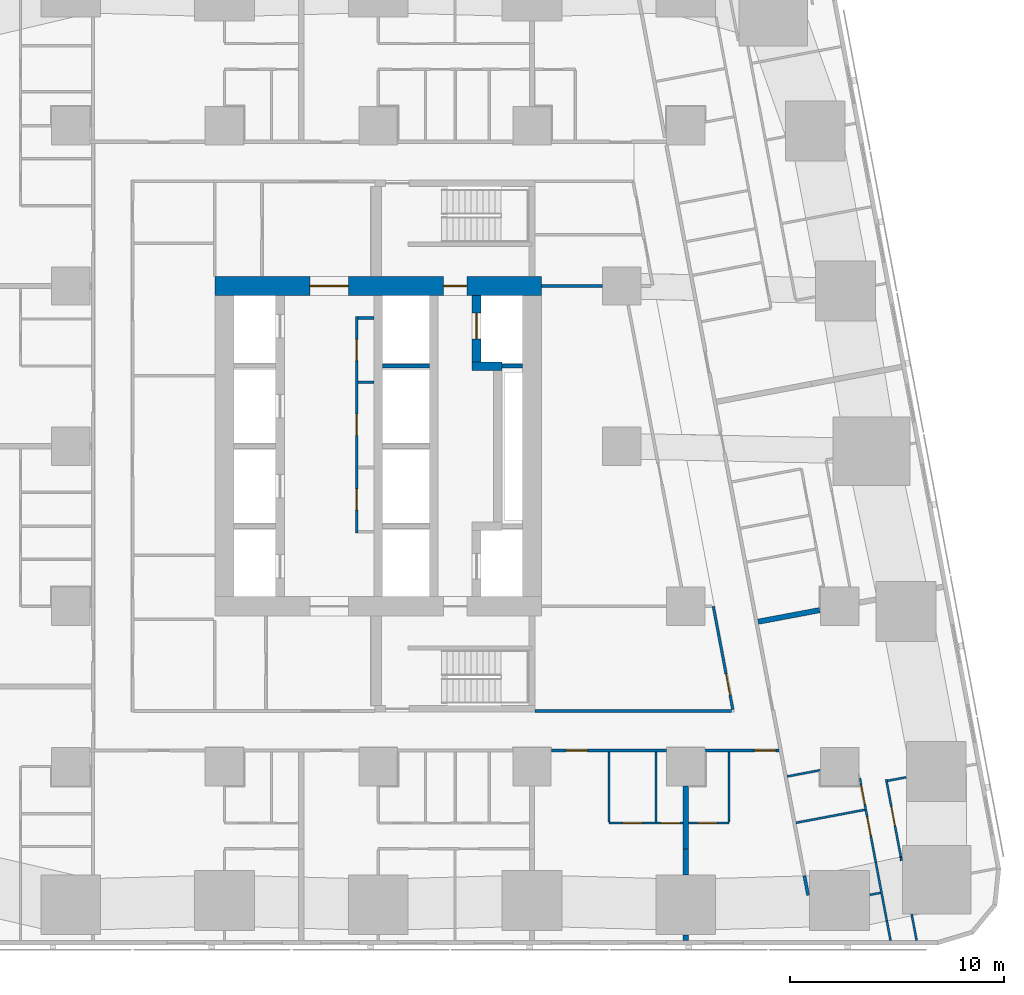
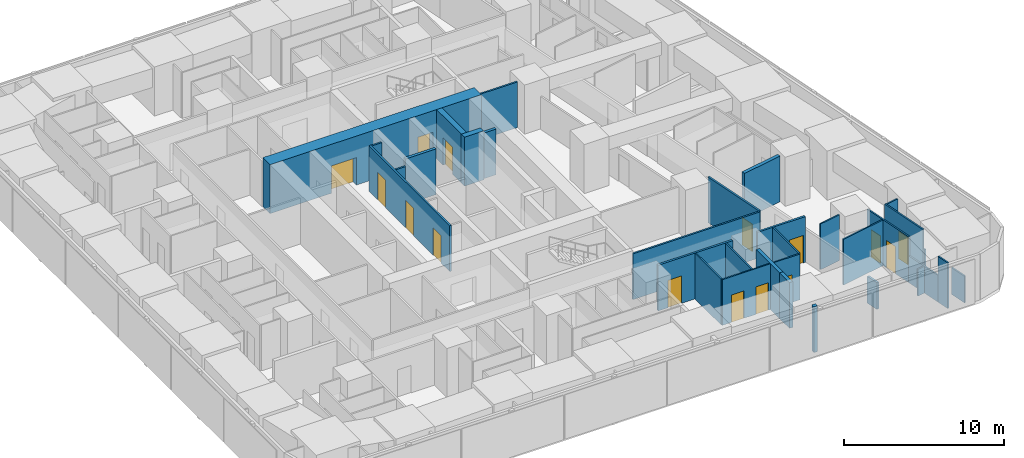
# One storey, part 7 of 16: 33 walls, 15 doors, 15 openings.
"""IFC4 building model written with IfcOpenShell, lengths in metres."""

from ifc_helpers import new_model, si_unit, direction, frame, frame_2d, origin, place, context, subcontext, project, spatial, rectangle, extrude, material, layer, layer_set, type_object, element, fill, save


model = new_model("IFC4")

# Units and contexts
model_context = context("Model", 3, precision=1e-05, world=origin(), true_north=direction((0.0, 1.0)))
body_context = subcontext(model_context, "Body", "Model", "MODEL_VIEW")
ifc_project = project(units=[si_unit("LENGTHUNIT", "METRE"), si_unit("AREAUNIT", "SQUARE_METRE"), si_unit("VOLUMEUNIT", "CUBIC_METRE"), si_unit("PLANEANGLEUNIT", "RADIAN"), si_unit("MASSUNIT", "GRAM", prefix="KILO")], contexts=[model_context])

# Site, building, storey
site_placement = place(None, origin())
site = spatial("IfcSite", under=ifc_project, at=site_placement, CompositionType="ELEMENT")
building_placement = place(site_placement, origin())
building = spatial("IfcBuilding", under=site, at=building_placement, Name="Sheger Commons Tower", CompositionType="ELEMENT")
storey_placement = place(building_placement, frame((0.0, 0.0, 61.25)))
storey = spatial("IfcBuildingStorey", under=building, at=storey_placement, Name="L15", CompositionType="ELEMENT", Elevation=61.25)

# Wall
ifc_material_1 = material(Name="Concrete C50/60", Category="concrete")
ifc_layer_1 = layer(ifc_material_1, 0.39990234375)
ifc_layer_set_1 = layer_set([ifc_layer_1], Name="CORE INNER WALL 400")
wall_type_1 = type_object("IfcWallType", Name="CORE INNER WALL 400", PredefinedType="SHEAR", material=ifc_layer_set_1)
wall_1_placement = place(storey_placement, frame((26.0, 26.25, 0.0), z_axis=(0.0, 0.0, 1.0), x_axis=(1.0, 0.0, 0.0)))
element("IfcWall", 1, at=wall_1_placement, inside=storey, type_object=wall_type_1, Name="Core inner wall F north return L15", PredefinedType="SHEAR", context=body_context, shape_type="SweptSolid", body=[
    extrude(rectangle(XDim=1.39990234375, YDim=0.39990234375, at=frame_2d((0.699951171875, 0.0))), origin(), (0.0, 0.0, 1.0), 3.75),
])

# Wall, opening, door
wall_2_placement = place(storey_placement, frame((26.199951171875, 26.449951171875, 0.0), z_axis=(0.0, 0.0, 1.0), x_axis=(0.0, 1.0, 0.0)))
wall_2 = element("IfcWall", 2, at=wall_2_placement, inside=storey, type_object=wall_type_1, Name="Core inner wall F north L15", PredefinedType="SHEAR", context=body_context, shape_type="SweptSolid", body=[
    extrude(rectangle(XDim=3.10009765625, YDim=0.39990234375, at=frame_2d((1.550048828125, 0.0))), origin(), (0.0, 0.0, 1.0), 3.75),
])
opening_1_placement = place(wall_2_placement, frame((1.074951171875, 0.0, 0.0)))
opening_1 = element("IfcOpeningElement", 3, at=opening_1_placement, cuts=wall_2, Name="Opening LD2", PredefinedType="OPENING", context=body_context, shape_type="SweptSolid", body=[
    extrude(rectangle(XDim=1.199951171875, YDim=2.10009765625, at=frame_2d((0.60009765625, 1.050048828125))), frame((0.0, 0.2099609375, 0.0), z_axis=(0.0, -1.0, 0.0), x_axis=(1.0, 0.0, 0.0)), (0.0, 0.0, 1.0), 0.419921875),
])
ifc_material_2 = material(Name="Steel door set, fire rated", Category="steel")
door_type_1 = type_object("IfcDoorType", Name="FIREFIGHTING LIFT LANDING DOOR 1200x2100", OperationType="DOUBLE_DOOR_SLIDING", PredefinedType="DOOR", material=ifc_material_2)
door_1_placement = place(opening_1_placement, origin())
door_1 = element("IfcDoor", 4, at=door_1_placement, inside=storey, type_object=door_type_1, Name="Lift FL2 landing door", OperationType="DOUBLE_DOOR_SLIDING", OverallHeight=2.10009765625, OverallWidth=1.199951171875, PredefinedType="DOOR", context=body_context, shape_type="SweptSolid", body=[
    extrude(rectangle(XDim=1.199951171875, YDim=2.10009765625, at=frame_2d((0.60009765625, 1.050048828125))), frame((0.0, 0.02490234375, 0.0), z_axis=(0.0, -1.0, 0.0), x_axis=(1.0, 0.0, 0.0)), (0.0, 0.0, 1.0), 0.050048828125),
])
fill(opening_1, door_1)

# Wall, openings, doors
ifc_material_3 = material(Name="Concrete C50/60", Category="concrete")
ifc_layer_2 = layer(ifc_material_3, 0.89990234375)
ifc_layer_set_2 = layer_set([ifc_layer_2], Name="CORE WALL 900")
wall_type_2 = type_object("IfcWallType", Name="CORE WALL 900", PredefinedType="SHEAR", material=ifc_layer_set_2)
wall_3_placement = place(storey_placement, frame((13.949951171875, 30.0, 0.0), z_axis=(0.0, 0.0, 1.0), x_axis=(1.0, 0.0, 0.0)))
wall_3 = element("IfcWall", 5, at=wall_3_placement, inside=storey, type_object=wall_type_2, Name="Core wall north L15", PredefinedType="SHEAR", context=body_context, shape_type="SweptSolid", body=[
    extrude(rectangle(XDim=15.300048828125, YDim=0.89990234375, at=frame_2d((7.64990234375, 0.0))), origin(), (0.0, 0.0, 1.0), 3.75),
])
opening_2_placement = place(wall_3_placement, frame((4.449951171875, 0.0, 0.0)))
opening_2 = element("IfcOpeningElement", 6, at=opening_2_placement, cuts=wall_3, Name="Opening D6", PredefinedType="OPENING", context=body_context, shape_type="SweptSolid", body=[
    extrude(rectangle(XDim=1.800048828125, YDim=2.10009765625, at=frame_2d((0.89990234375, 1.050048828125))), frame((0.0, 0.4599609375, 0.0), z_axis=(0.0, -1.0, 0.0), x_axis=(1.0, 0.0, 0.0)), (0.0, 0.0, 1.0), 0.919921875),
])
opening_3_placement = place(wall_3_placement, frame((10.699951171875, 0.0, 0.0)))
opening_3 = element("IfcOpeningElement", 7, at=opening_3_placement, cuts=wall_3, Name="Opening D5", PredefinedType="OPENING", context=body_context, shape_type="SweptSolid", body=[
    extrude(rectangle(XDim=1.10009765625, YDim=2.10009765625, at=frame_2d((0.550048828125, 1.050048828125))), frame((0.0, 0.4599609375, 0.0), z_axis=(0.0, -1.0, 0.0), x_axis=(1.0, 0.0, 0.0)), (0.0, 0.0, 1.0), 0.919921875),
])
ifc_material_4 = material(Name="Steel door set, fire rated", Category="steel")
door_type_2 = type_object("IfcDoorType", Name="LOBBY DOUBLE DOOR 1800x2100", OperationType="DOUBLE_DOOR_SINGLE_SWING", PredefinedType="DOOR", material=ifc_material_4)
door_2_placement = place(opening_2_placement, origin())
door_2 = element("IfcDoor", 8, at=door_2_placement, inside=storey, type_object=door_type_2, Name="Lift lobby door", OperationType="DOUBLE_DOOR_SINGLE_SWING", OverallHeight=2.10009765625, OverallWidth=1.800048828125, PredefinedType="DOOR", context=body_context, shape_type="SweptSolid", body=[
    extrude(rectangle(XDim=1.800048828125, YDim=2.10009765625, at=frame_2d((0.89990234375, 1.050048828125))), frame((0.0, 0.02490234375, 0.0), z_axis=(0.0, -1.0, 0.0), x_axis=(1.0, 0.0, 0.0)), (0.0, 0.0, 1.0), 0.050048828125),
])
fill(opening_2, door_2)
ifc_material_5 = material(Name="Steel door set, fire rated", Category="steel")
door_type_3 = type_object("IfcDoorType", Name="STAIR DOOR 1100x2100", OperationType="NOTDEFINED", PredefinedType="DOOR", material=ifc_material_5)
door_3_placement = place(opening_3_placement, origin())
door_3 = element("IfcDoor", 9, at=door_3_placement, inside=storey, type_object=door_type_3, Name="Fire-fighting lobby door", OperationType="SINGLE_SWING_LEFT", OverallHeight=2.10009765625, OverallWidth=1.10009765625, PredefinedType="DOOR", context=body_context, shape_type="SweptSolid", body=[
    extrude(rectangle(XDim=1.10009765625, YDim=2.10009765625, at=frame_2d((0.550048828125, 1.050048828125))), frame((0.0, 0.02490234375, 0.0), z_axis=(0.0, -1.0, 0.0), x_axis=(1.0, 0.0, 0.0)), (0.0, 0.0, 1.0), 0.050048828125),
])
fill(opening_3, door_3)

# Wall, opening, door
ifc_material_6 = material(Name="Hollow concrete block masonry, skimmed both sides", Category="masonry")
ifc_layer_3 = layer(ifc_material_6, 0.14990234375)
ifc_layer_set_3 = layer_set([ifc_layer_3], Name="CORRIDOR WALL 150")
wall_type_3 = type_object("IfcWallType", Name="CORRIDOR WALL 150", PredefinedType="SOLIDWALL", material=ifc_layer_set_3)
wall_4_placement = place(storey_placement, frame((40.35498046875, 8.25, 0.0), z_axis=(0.0, 0.0, 1.0), x_axis=(-1.0, 0.0, 0.0)))
wall_4 = element("IfcWall", 10, at=wall_4_placement, inside=storey, type_object=wall_type_3, Name="Corridor wall L15", PredefinedType="SOLIDWALL", context=body_context, shape_type="SweptSolid", body=[
    extrude(rectangle(XDim=3.4541015625, YDim=0.14990234375, at=frame_2d((1.72705078125, 0.0))), origin(), (0.0, 0.0, 1.0), 3.5),
])
opening_4_placement = place(wall_4_placement, frame((0.14990234375, 0.0, 0.0)))
opening_4 = element("IfcOpeningElement", 11, at=opening_4_placement, cuts=wall_4, Name="Opening D1", PredefinedType="OPENING", context=body_context, shape_type="SweptSolid", body=[
    extrude(rectangle(XDim=1.0, YDim=2.10009765625, at=frame_2d((0.5, 1.050048828125))), frame((0.0, 0.0849609375, 0.0), z_axis=(0.0, -1.0, 0.0), x_axis=(1.0, 0.0, 0.0)), (0.0, 0.0, 1.0), 0.169921875),
])
ifc_material_7 = material(Name="Steel door set, fire rated", Category="steel")
door_type_4 = type_object("IfcDoorType", Name="FLAT ENTRANCE DOOR 1000x2100", OperationType="NOTDEFINED", PredefinedType="DOOR", material=ifc_material_7)
door_4_placement = place(opening_4_placement, origin())
door_4 = element("IfcDoor", 12, at=door_4_placement, inside=storey, type_object=door_type_4, Name="Flat entrance door", OperationType="SINGLE_SWING_LEFT", OverallHeight=2.10009765625, OverallWidth=1.0, PredefinedType="DOOR", context=body_context, shape_type="SweptSolid", body=[
    extrude(rectangle(XDim=1.0, YDim=2.10009765625, at=frame_2d((0.5, 1.050048828125))), frame((0.0, 0.02490234375, 0.0), z_axis=(0.0, -1.0, 0.0), x_axis=(1.0, 0.0, 0.0)), (0.0, 0.0, 1.0), 0.050048828125),
])
fill(opening_4, door_4)

wall_5_placement = place(storey_placement, frame((35.09912109375, 8.25, 0.0), z_axis=(0.0, 0.0, 1.0), x_axis=(-1.0, 0.0, 0.0)))
wall_5 = element("IfcWall", 13, at=wall_5_placement, inside=storey, type_object=wall_type_3, Name="Corridor wall L15", PredefinedType="SOLIDWALL", context=body_context, shape_type="SweptSolid", body=[
    extrude(rectangle(XDim=5.398193359375, YDim=0.14990234375, at=frame_2d((2.69921875, 0.0))), origin(), (0.0, 0.0, 1.0), 3.5),
])
opening_5_placement = place(wall_5_placement, frame((3.698974609375, 0.0, 0.0)))
opening_5 = element("IfcOpeningElement", 14, at=opening_5_placement, cuts=wall_5, Name="Opening D1", PredefinedType="OPENING", context=body_context, shape_type="SweptSolid", body=[
    extrude(rectangle(XDim=1.0, YDim=2.10009765625, at=frame_2d((0.5, 1.050048828125))), frame((0.0, 0.0849609375, 0.0), z_axis=(0.0, -1.0, 0.0), x_axis=(1.0, 0.0, 0.0)), (0.0, 0.0, 1.0), 0.169921875),
])
door_5_placement = place(opening_5_placement, origin())
door_5 = element("IfcDoor", 15, at=door_5_placement, inside=storey, type_object=door_type_4, Name="Flat entrance door", OperationType="SINGLE_SWING_RIGHT", OverallHeight=2.10009765625, OverallWidth=1.0, PredefinedType="DOOR", context=body_context, shape_type="SweptSolid", body=[
    extrude(rectangle(XDim=1.0, YDim=2.10009765625, at=frame_2d((0.5, 1.050048828125))), frame((0.0, 0.02490234375, 0.0), z_axis=(0.0, -1.0, 0.0), x_axis=(1.0, 0.0, 0.0)), (0.0, 0.0, 1.0), 0.050048828125),
])
fill(opening_5, door_5)

# Walls
wall_6_placement = place(storey_placement, frame((41.552001953125, 2.39208984375, 0.0), z_axis=(0.0, 0.0, 1.0), x_axis=(0.185687800081, -0.982608793417, 0.0)))
element("IfcWall", 16, at=wall_6_placement, inside=storey, type_object=wall_type_3, Name="Corridor wall L15", PredefinedType="SOLIDWALL", context=body_context, shape_type="SweptSolid", body=[
    extrude(rectangle(XDim=0.9375, YDim=0.14990234375, at=frame_2d((0.46875, 0.0))), origin(), (0.0, 0.0, 1.0), 2.050048828125),
])
ifc_material_8 = material(Name="Dense concrete block masonry, plastered both sides (separating wall between flats)", Category="masonry")
ifc_layer_4 = layer(ifc_material_8, 0.25)
ifc_layer_set_4 = layer_set([ifc_layer_4], Name="DEMISING WALL 250")
wall_type_4 = type_object("IfcWallType", Name="DEMISING WALL 250", PredefinedType="SOLIDWALL", material=ifc_layer_set_4)
wall_7_placement = place(storey_placement, frame((36.0, -0.64990234375, 0.0), z_axis=(0.0, 0.0, 1.0), x_axis=(0.0, 1.0, 0.0)))
element("IfcWall", 17, at=wall_7_placement, inside=storey, type_object=wall_type_4, Name="Demising wall L15", PredefinedType="SOLIDWALL", context=body_context, shape_type="SweptSolid", body=[
    extrude(rectangle(XDim=0.27392578125, YDim=0.25, at=frame_2d((0.136962890625, 0.0))), origin(), (0.0, 0.0, 1.0), 3.5),
])
wall_8_placement = place(storey_placement, frame((36.0, 2.426025390625, 0.0), z_axis=(0.0, 0.0, 1.0), x_axis=(0.0, 1.0, 0.0)))
element("IfcWall", 18, at=wall_8_placement, inside=storey, type_object=wall_type_4, Name="Demising wall L15", PredefinedType="SOLIDWALL", context=body_context, shape_type="SweptSolid", body=[
    extrude(rectangle(XDim=1.223876953125, YDim=0.25, at=frame_2d((0.61181640625, 0.0))), origin(), (0.0, 0.0, 1.0), 3.5),
])
wall_9_placement = place(storey_placement, frame((36.0, 3.64990234375, 0.0), z_axis=(0.0, 0.0, 1.0), x_axis=(0.0, 1.0, 0.0)))
element("IfcWall", 19, at=wall_9_placement, inside=storey, type_object=wall_type_4, Name="Demising wall L15", PredefinedType="SOLIDWALL", context=body_context, shape_type="SweptSolid", body=[
    extrude(rectangle(XDim=2.94921875, YDim=0.25, at=frame_2d((1.474609375, 0.0))), origin(), (0.0, 0.0, 1.0), 3.5),
])
wall_10_placement = place(storey_placement, frame((42.27587890625, 14.824951171875, 0.0), z_axis=(0.0, 0.0, 1.0), x_axis=(-0.982656521819, -0.185435056358, 0.0)))
element("IfcWall", 20, at=wall_10_placement, inside=storey, type_object=wall_type_4, Name="Demising wall L15", PredefinedType="SOLIDWALL", context=body_context, shape_type="SweptSolid", body=[
    extrude(rectangle(XDim=2.94384765625, YDim=0.25, at=frame_2d((1.471923828125, 0.0))), origin(), (0.0, 0.0, 1.0), 3.5),
])

# Wall, openings, doors
ifc_material_9 = material(Name="Gypsum board on steel studs", Category="steel")
ifc_layer_5 = layer(ifc_material_9, 0.10009765625)
ifc_layer_set_5 = layer_set([ifc_layer_5], Name="PARTITION 100")
wall_type_5 = type_object("IfcWallType", Name="PARTITION 100", PredefinedType="PARTITIONING", material=ifc_layer_set_5)
wall_11_placement = place(storey_placement, frame((35.875, 4.85009765625, 0.0), z_axis=(0.0, 0.0, 1.0), x_axis=(-1.0, 0.0, 0.0)))
wall_11 = element("IfcWall", 21, at=wall_11_placement, inside=storey, type_object=wall_type_5, Name="Partition L15", PredefinedType="PARTITIONING", context=body_context, shape_type="SweptSolid", body=[
    extrude(rectangle(XDim=3.47509765625, YDim=0.10009765625, at=frame_2d((1.737548828125, 0.0))), origin(), (0.0, 0.0, 1.0), 3.5),
])
opening_6_placement = place(wall_11_placement, frame((1.919921875, 0.0, 0.0)))
opening_6 = element("IfcOpeningElement", 22, at=opening_6_placement, cuts=wall_11, Name="Opening D2", PredefinedType="OPENING", context=body_context, shape_type="SweptSolid", body=[
    extrude(rectangle(XDim=0.89990234375, YDim=2.10009765625, at=frame_2d((0.449951171875, 1.050048828125))), frame((0.0, 0.06005859375, 0.0), z_axis=(0.0, -1.0, 0.0), x_axis=(1.0, 0.0, 0.0)), (0.0, 0.0, 1.0), 0.1201171875),
])
opening_7_placement = place(wall_11_placement, frame((0.14990234375, 0.0, 0.0)))
opening_7 = element("IfcOpeningElement", 23, at=opening_7_placement, cuts=wall_11, Name="Opening D2", PredefinedType="OPENING", context=body_context, shape_type="SweptSolid", body=[
    extrude(rectangle(XDim=0.89990234375, YDim=2.10009765625, at=frame_2d((0.449951171875, 1.050048828125))), frame((0.0, 0.06005859375, 0.0), z_axis=(0.0, -1.0, 0.0), x_axis=(1.0, 0.0, 0.0)), (0.0, 0.0, 1.0), 0.1201171875),
])
ifc_material_10 = material(Name="Timber door set", Category="wood")
door_type_5 = type_object("IfcDoorType", Name="INTERNAL DOOR 900x2100", OperationType="NOTDEFINED", PredefinedType="DOOR", material=ifc_material_10)
door_6_placement = place(opening_6_placement, origin())
door_6 = element("IfcDoor", 24, at=door_6_placement, inside=storey, type_object=door_type_5, Name="Bathroom door", OperationType="SINGLE_SWING_LEFT", OverallHeight=2.10009765625, OverallWidth=0.89990234375, PredefinedType="DOOR", context=body_context, shape_type="SweptSolid", body=[
    extrude(rectangle(XDim=0.89990234375, YDim=2.10009765625, at=frame_2d((0.449951171875, 1.050048828125))), frame((0.0, 0.02490234375, 0.0), z_axis=(0.0, -1.0, 0.0), x_axis=(1.0, 0.0, 0.0)), (0.0, 0.0, 1.0), 0.050048828125),
])
fill(opening_6, door_6)
door_7_placement = place(opening_7_placement, origin())
door_7 = element("IfcDoor", 25, at=door_7_placement, inside=storey, type_object=door_type_5, Name="Store door", OperationType="SINGLE_SWING_RIGHT", OverallHeight=2.10009765625, OverallWidth=0.89990234375, PredefinedType="DOOR", context=body_context, shape_type="SweptSolid", body=[
    extrude(rectangle(XDim=0.89990234375, YDim=2.10009765625, at=frame_2d((0.449951171875, 1.050048828125))), frame((0.0, 0.02490234375, 0.0), z_axis=(0.0, -1.0, 0.0), x_axis=(1.0, 0.0, 0.0)), (0.0, 0.0, 1.0), 0.050048828125),
])
fill(opening_7, door_7)

# Walls
for number, where, z_axis, x_axis, name in (
    (26, (32.39990234375, 4.89990234375, 0.0), (0.0, 0.0, 1.0), (0.0, 1.0, 0.0), "Partition L15"),
    (27, (34.610107421875, 4.89990234375, 0.0), (0.0, 0.0, 1.0), (0.0, 1.0, 0.0), "Partition L15"),
):
    element("IfcWall", number, at=place(storey_placement, frame(where, z_axis=z_axis, x_axis=x_axis)), inside=storey, type_object=wall_type_5, Name=name, PredefinedType="PARTITIONING", context=body_context, shape_type="SweptSolid", body=[
        extrude(rectangle(XDim=3.275146484375, YDim=0.10009765625, at=frame_2d((1.6376953125, 0.0))), origin(), (0.0, 0.0, 1.0), 3.5),
    ])

# Wall, opening, door
wall_12_placement = place(storey_placement, frame((38.029052734375, 4.85009765625, 0.0), z_axis=(0.0, 0.0, 1.0), x_axis=(-1.0, 0.0, 0.0)))
wall_12 = element("IfcWall", 28, at=wall_12_placement, inside=storey, type_object=wall_type_5, Name="Partition L15", PredefinedType="PARTITIONING", context=body_context, shape_type="SweptSolid", body=[
    extrude(rectangle(XDim=1.904052734375, YDim=0.10009765625, at=frame_2d((0.9521484375, 0.0))), origin(), (0.0, 0.0, 1.0), 3.5),
])
opening_8_placement = place(wall_12_placement, frame((0.5791015625, 0.0, 0.0)))
opening_8 = element("IfcOpeningElement", 29, at=opening_8_placement, cuts=wall_12, Name="Opening D2", PredefinedType="OPENING", context=body_context, shape_type="SweptSolid", body=[
    extrude(rectangle(XDim=0.89990234375, YDim=2.10009765625, at=frame_2d((0.449951171875, 1.050048828125))), frame((0.0, 0.06005859375, 0.0), z_axis=(0.0, -1.0, 0.0), x_axis=(1.0, 0.0, 0.0)), (0.0, 0.0, 1.0), 0.1201171875),
])
door_8_placement = place(opening_8_placement, origin())
door_8 = element("IfcDoor", 30, at=door_8_placement, inside=storey, type_object=door_type_5, Name="Shower room door", OperationType="SINGLE_SWING_LEFT", OverallHeight=2.10009765625, OverallWidth=0.89990234375, PredefinedType="DOOR", context=body_context, shape_type="SweptSolid", body=[
    extrude(rectangle(XDim=0.89990234375, YDim=2.10009765625, at=frame_2d((0.449951171875, 1.050048828125))), frame((0.0, 0.02490234375, 0.0), z_axis=(0.0, -1.0, 0.0), x_axis=(1.0, 0.0, 0.0)), (0.0, 0.0, 1.0), 0.050048828125),
])
fill(opening_8, door_8)

# Wall
wall_13_placement = place(storey_placement, frame((38.029052734375, 4.89990234375, 0.0), z_axis=(0.0, 0.0, 1.0), x_axis=(0.0, 1.0, 0.0)))
element("IfcWall", 31, at=wall_13_placement, inside=storey, type_object=wall_type_5, Name="Partition L15", PredefinedType="PARTITIONING", context=body_context, shape_type="SweptSolid", body=[
    extrude(rectangle(XDim=3.275146484375, YDim=0.10009765625, at=frame_2d((1.6376953125, 0.0))), origin(), (0.0, 0.0, 1.0), 3.5),
])

# Wall, opening, door
wall_14_placement = place(storey_placement, frame((45.383056640625, 6.89404296875, 0.0), z_axis=(0.0, 0.0, 1.0), x_axis=(0.185791461635, -0.982589198385, 0.0)))
wall_14 = element("IfcWall", 32, at=wall_14_placement, inside=storey, type_object=wall_type_5, Name="Partition L15", PredefinedType="PARTITIONING", context=body_context, shape_type="SweptSolid", body=[
    extrude(rectangle(XDim=3.687255859375, YDim=0.10009765625, at=frame_2d((1.84375, 0.0))), origin(), (0.0, 0.0, 1.0), 3.5),
])
opening_9_placement = place(wall_14_placement, frame((1.300048828125, 0.0, 0.0)))
opening_9 = element("IfcOpeningElement", 33, at=opening_9_placement, cuts=wall_14, Name="Opening D2", PredefinedType="OPENING", context=body_context, shape_type="SweptSolid", body=[
    extrude(rectangle(XDim=0.89990234375, YDim=2.10009765625, at=frame_2d((0.449951171875, 1.050048828125))), frame((0.0, 0.06005859375, 0.0), z_axis=(0.0, -1.0, 0.0), x_axis=(1.0, 0.0, 0.0)), (0.0, 0.0, 1.0), 0.1201171875),
])
door_9_placement = place(opening_9_placement, origin())
door_9 = element("IfcDoor", 34, at=door_9_placement, inside=storey, type_object=door_type_5, Name="Main bedroom door", OperationType="SINGLE_SWING_LEFT", OverallHeight=2.10009765625, OverallWidth=0.89990234375, PredefinedType="DOOR", context=body_context, shape_type="SweptSolid", body=[
    extrude(rectangle(XDim=0.89990234375, YDim=2.10009765625, at=frame_2d((0.449951171875, 1.050048828125))), frame((0.0, 0.02490234375, 0.0), z_axis=(0.0, -1.0, 0.0), x_axis=(1.0, 0.0, 0.0)), (0.0, 0.0, 1.0), 0.050048828125),
])
fill(opening_9, door_9)

# Walls
wall_15_placement = place(storey_placement, frame((46.068115234375, 3.27099609375, 0.0), z_axis=(0.0, 0.0, 1.0), x_axis=(0.183590240121, -0.98300286049, 0.0)))
element("IfcWall", 35, at=wall_15_placement, inside=storey, type_object=wall_type_5, Name="Partition L15", PredefinedType="PARTITIONING", context=body_context, shape_type="SweptSolid", body=[
    extrude(rectangle(XDim=0.1689453125, YDim=0.10009765625, at=frame_2d((0.08447265625, 0.0))), origin(), (0.0, 0.0, 1.0), 2.050048828125),
])
wall_16_placement = place(storey_placement, frame((46.573974609375, 0.5869140625, 0.0), z_axis=(0.0, 0.0, 1.0), x_axis=(0.185997942803, -0.98255013372, 0.0)))
element("IfcWall", 36, at=wall_16_placement, inside=storey, type_object=wall_type_5, Name="Partition L15", PredefinedType="PARTITIONING", context=body_context, shape_type="SweptSolid", body=[
    extrude(rectangle(XDim=1.2587890625, YDim=0.10009765625, at=frame_2d((0.62939453125, 0.0))), origin(), (0.0, 0.0, 1.0), 2.050048828125),
])

# Wall, openings, doors
wall_17_placement = place(storey_placement, frame((44.14892578125, 6.9599609375, 0.0), z_axis=(0.0, 0.0, 1.0), x_axis=(0.185824941804, -0.982582867245, 0.0)))
wall_17 = element("IfcWall", 37, at=wall_17_placement, inside=storey, type_object=wall_type_5, Name="Partition L15", PredefinedType="PARTITIONING", context=body_context, shape_type="SweptSolid", body=[
    extrude(rectangle(XDim=4.009765625, YDim=0.10009765625, at=frame_2d((2.0048828125, 0.0))), origin(), (0.0, 0.0, 1.0), 3.5),
])
opening_10_placement = place(wall_17_placement, frame((0.35009765625, 0.0, 0.0)))
opening_10 = element("IfcOpeningElement", 38, at=opening_10_placement, cuts=wall_17, Name="Opening D2", PredefinedType="OPENING", context=body_context, shape_type="SweptSolid", body=[
    extrude(rectangle(XDim=0.89990234375, YDim=2.10009765625, at=frame_2d((0.449951171875, 1.050048828125))), frame((0.0, 0.06005859375, 0.0), z_axis=(0.0, -1.0, 0.0), x_axis=(1.0, 0.0, 0.0)), (0.0, 0.0, 1.0), 0.1201171875),
])
opening_11_placement = place(wall_17_placement, frame((1.85595703125, 0.0, 0.0)))
opening_11 = element("IfcOpeningElement", 39, at=opening_11_placement, cuts=wall_17, Name="Opening D2", PredefinedType="OPENING", context=body_context, shape_type="SweptSolid", body=[
    extrude(rectangle(XDim=0.89990234375, YDim=2.10009765625, at=frame_2d((0.449951171875, 1.050048828125))), frame((0.0, 0.06005859375, 0.0), z_axis=(0.0, -1.0, 0.0), x_axis=(1.0, 0.0, 0.0)), (0.0, 0.0, 1.0), 0.1201171875),
])
door_10_placement = place(opening_10_placement, origin())
door_10 = element("IfcDoor", 40, at=door_10_placement, inside=storey, type_object=door_type_5, Name="Bathroom door", OperationType="SINGLE_SWING_RIGHT", OverallHeight=2.10009765625, OverallWidth=0.89990234375, PredefinedType="DOOR", context=body_context, shape_type="SweptSolid", body=[
    extrude(rectangle(XDim=0.89990234375, YDim=2.10009765625, at=frame_2d((0.449951171875, 1.050048828125))), frame((0.0, 0.02490234375, 0.0), z_axis=(0.0, -1.0, 0.0), x_axis=(1.0, 0.0, 0.0)), (0.0, 0.0, 1.0), 0.050048828125),
])
fill(opening_10, door_10)
door_11_placement = place(opening_11_placement, origin())
door_11 = element("IfcDoor", 41, at=door_11_placement, inside=storey, type_object=door_type_5, Name="Store door", OperationType="SINGLE_SWING_RIGHT", OverallHeight=2.10009765625, OverallWidth=0.89990234375, PredefinedType="DOOR", context=body_context, shape_type="SweptSolid", body=[
    extrude(rectangle(XDim=0.89990234375, YDim=2.10009765625, at=frame_2d((0.449951171875, 1.050048828125))), frame((0.0, 0.02490234375, 0.0), z_axis=(0.0, -1.0, 0.0), x_axis=(1.0, 0.0, 0.0)), (0.0, 0.0, 1.0), 0.050048828125),
])
fill(opening_11, door_11)

# Walls
wall_18_placement = place(storey_placement, frame((44.89404296875, 3.02001953125, 0.0), z_axis=(0.0, 0.0, 1.0), x_axis=(0.185471317237, -0.982649678412, 0.0)))
element("IfcWall", 42, at=wall_18_placement, inside=storey, type_object=wall_type_5, Name="Partition L15", PredefinedType="PARTITIONING", context=body_context, shape_type="SweptSolid", body=[
    extrude(rectangle(XDim=2.8037109375, YDim=0.10009765625, at=frame_2d((1.40185546875, 0.0))), origin(), (0.0, 0.0, 1.0), 2.050048828125),
])
wall_19_placement = place(storey_placement, frame((45.4140625, 0.264892578125, 0.0), z_axis=(0.0, 0.0, 1.0), x_axis=(0.185665855771, -0.982612940074, 0.0)))
element("IfcWall", 43, at=wall_19_placement, inside=storey, type_object=wall_type_5, Name="Partition L15", PredefinedType="PARTITIONING", context=body_context, shape_type="SweptSolid", body=[
    extrude(rectangle(XDim=0.930908203125, YDim=0.10009765625, at=frame_2d((0.46533203125, 0.0))), origin(), (0.0, 0.0, 1.0), 3.5),
])
wall_20_placement = place(storey_placement, frame((46.320068359375, 6.9970703125, 0.0), z_axis=(0.0, 0.0, 1.0), x_axis=(-0.982635224332, -0.185547880349, 0.0)))
element("IfcWall", 44, at=wall_20_placement, inside=storey, type_object=wall_type_5, Name="Partition L15", PredefinedType="PARTITIONING", context=body_context, shape_type="SweptSolid", body=[
    extrude(rectangle(XDim=0.889404296875, YDim=0.10009765625, at=frame_2d((0.44482421875, 0.0))), origin(), (0.0, 0.0, 1.0), 3.5),
])
wall_21_placement = place(storey_placement, frame((42.2900390625, 7.3291015625, 0.0), z_axis=(0.0, 0.0, 1.0), x_axis=(-0.98258870752, -0.18579405764, 0.0)))
element("IfcWall", 45, at=wall_21_placement, inside=storey, type_object=wall_type_5, Name="Partition L15", PredefinedType="PARTITIONING", context=body_context, shape_type="SweptSolid", body=[
    extrude(rectangle(XDim=1.56640625, YDim=0.10009765625, at=frame_2d((0.783203125, 0.0))), origin(), (0.0, 0.0, 1.0), 3.5),
])
wall_22_placement = place(storey_placement, frame((45.114013671875, 1.5869140625, 0.0), z_axis=(0.0, 0.0, 1.0), x_axis=(-0.982699277433, -0.185208342501, 0.0)))
element("IfcWall", 46, at=wall_22_placement, inside=storey, type_object=wall_type_5, Name="Partition L15", PredefinedType="PARTITIONING", context=body_context, shape_type="SweptSolid", body=[
    extrude(rectangle(XDim=0.5126953125, YDim=0.10009765625, at=frame_2d((0.25634765625, 0.0))), origin(), (0.0, 0.0, 1.0), 2.050048828125),
])
wall_23_placement = place(storey_placement, frame((44.37890625, 5.47412109375, 0.0), z_axis=(0.0, 0.0, 1.0), x_axis=(-0.982607026909, -0.185697147715, 0.0)))
element("IfcWall", 47, at=wall_23_placement, inside=storey, type_object=wall_type_5, Name="Partition L15", PredefinedType="PARTITIONING", context=body_context, shape_type="SweptSolid", body=[
    extrude(rectangle(XDim=3.27490234375, YDim=0.10009765625, at=frame_2d((1.637451171875, 0.0))), origin(), (0.0, 0.0, 1.0), 3.5),
])
ifc_material_11 = material(Name="Gypsum board on steel studs, two layers each side, fire rated", Category="steel")
ifc_layer_6 = layer(ifc_material_11, 0.125)
ifc_layer_set_6 = layer_set([ifc_layer_6], Name="SERVICE WALL 125")
wall_type_6 = type_object("IfcWallType", Name="SERVICE WALL 125", PredefinedType="PARTITIONING", material=ifc_layer_set_6)
wall_24_placement = place(storey_placement, frame((28.949951171875, 10.10009765625, 0.0), z_axis=(0.0, 0.0, 1.0), x_axis=(1.0, 0.0, 0.0)))
element("IfcWall", 48, at=wall_24_placement, inside=storey, type_object=wall_type_6, Name="Service room wall L15", PredefinedType="PARTITIONING", context=body_context, shape_type="SweptSolid", body=[
    extrude(rectangle(XDim=9.18798828125, YDim=0.125, at=frame_2d((4.593994140625, 0.0))), origin(), (0.0, 0.0, 1.0), 3.5),
])

# Wall, opening, door
wall_25_placement = place(storey_placement, frame((38.201904296875, 10.1630859375, 0.0), z_axis=(0.0, 0.0, 1.0), x_axis=(-0.185641892853, 0.982617467593, 0.0)))
wall_25 = element("IfcWall", 49, at=wall_25_placement, inside=storey, type_object=wall_type_6, Name="Service room wall L15", PredefinedType="PARTITIONING", context=body_context, shape_type="SweptSolid", body=[
    extrude(rectangle(XDim=4.92236328125, YDim=0.125, at=frame_2d((2.461181640625, 0.0))), origin(), (0.0, 0.0, 1.0), 3.5),
])
opening_12_placement = place(wall_25_placement, frame((0.7080078125, 0.0, 0.0)))
opening_12 = element("IfcOpeningElement", 50, at=opening_12_placement, cuts=wall_25, Name="Opening D4", PredefinedType="OPENING", context=body_context, shape_type="SweptSolid", body=[
    extrude(rectangle(XDim=1.0, YDim=2.10009765625, at=frame_2d((0.5, 1.050048828125))), frame((0.0, 0.072509765625, 0.0), z_axis=(0.0, -1.0, 0.0), x_axis=(1.0, 0.0, 0.0)), (0.0, 0.0, 1.0), 0.14501953125),
])
ifc_material_12 = material(Name="Steel door set, fire rated", Category="steel")
door_type_6 = type_object("IfcDoorType", Name="SERVICE DOOR 1000x2100", OperationType="NOTDEFINED", PredefinedType="DOOR", material=ifc_material_12)
door_12_placement = place(opening_12_placement, origin())
door_12 = element("IfcDoor", 51, at=door_12_placement, inside=storey, type_object=door_type_6, Name="Parcel and delivery room door", OperationType="SINGLE_SWING_LEFT", OverallHeight=2.10009765625, OverallWidth=1.0, PredefinedType="DOOR", context=body_context, shape_type="SweptSolid", body=[
    extrude(rectangle(XDim=1.0, YDim=2.10009765625, at=frame_2d((0.5, 1.050048828125))), frame((0.0, 0.02490234375, 0.0), z_axis=(0.0, -1.0, 0.0), x_axis=(1.0, 0.0, 0.0)), (0.0, 0.0, 1.0), 0.050048828125),
])
fill(opening_12, door_12)

# Wall
wall_26_placement = place(storey_placement, frame((29.25, 30.0, 0.0), z_axis=(0.0, 0.0, 1.0), x_axis=(1.0, 0.0, 0.0)))
element("IfcWall", 52, at=wall_26_placement, inside=storey, type_object=wall_type_6, Name="Service room wall L15", PredefinedType="PARTITIONING", context=body_context, shape_type="SweptSolid", body=[
    extrude(rectangle(XDim=2.84912109375, YDim=0.125, at=frame_2d((1.424560546875, 0.0))), origin(), (0.0, 0.0, 1.0), 3.5),
])

# Wall, openings, doors
wall_27_placement = place(storey_placement, frame((20.60009765625, 18.43798828125, 0.0), z_axis=(0.0, 0.0, 1.0), x_axis=(0.0, 1.0, 0.0)))
wall_27 = element("IfcWall", 53, at=wall_27_placement, inside=storey, type_object=wall_type_6, Name="Service room wall L15", PredefinedType="PARTITIONING", context=body_context, shape_type="SweptSolid", body=[
    extrude(rectangle(XDim=10.1240234375, YDim=0.125, at=frame_2d((5.06201171875, 0.0))), origin(), (0.0, 0.0, 1.0), 3.5),
])
opening_13_placement = place(wall_27_placement, frame((1.06201171875, 0.0, 0.0)))
opening_13 = element("IfcOpeningElement", 54, at=opening_13_placement, cuts=wall_27, Name="Opening D4", PredefinedType="OPENING", context=body_context, shape_type="SweptSolid", body=[
    extrude(rectangle(XDim=1.0, YDim=2.10009765625, at=frame_2d((0.5, 1.050048828125))), frame((0.0, 0.072509765625, 0.0), z_axis=(0.0, -1.0, 0.0), x_axis=(1.0, 0.0, 0.0)), (0.0, 0.0, 1.0), 0.14501953125),
])
opening_14_placement = place(wall_27_placement, frame((4.56201171875, 0.0, 0.0)))
opening_14 = element("IfcOpeningElement", 55, at=opening_14_placement, cuts=wall_27, Name="Opening D4", PredefinedType="OPENING", context=body_context, shape_type="SweptSolid", body=[
    extrude(rectangle(XDim=1.0, YDim=2.10009765625, at=frame_2d((0.5, 1.050048828125))), frame((0.0, 0.072509765625, 0.0), z_axis=(0.0, -1.0, 0.0), x_axis=(1.0, 0.0, 0.0)), (0.0, 0.0, 1.0), 0.14501953125),
])
opening_15_placement = place(wall_27_placement, frame((8.06201171875, 0.0, 0.0)))
opening_15 = element("IfcOpeningElement", 56, at=opening_15_placement, cuts=wall_27, Name="Opening D4", PredefinedType="OPENING", context=body_context, shape_type="SweptSolid", body=[
    extrude(rectangle(XDim=1.0, YDim=2.10009765625, at=frame_2d((0.5, 1.050048828125))), frame((0.0, 0.072509765625, 0.0), z_axis=(0.0, -1.0, 0.0), x_axis=(1.0, 0.0, 0.0)), (0.0, 0.0, 1.0), 0.14501953125),
])
door_13_placement = place(opening_13_placement, origin())
door_13 = element("IfcDoor", 57, at=door_13_placement, inside=storey, type_object=door_type_6, Name="Water meter cupboard door", OperationType="SINGLE_SWING_LEFT", OverallHeight=2.10009765625, OverallWidth=1.0, PredefinedType="DOOR", context=body_context, shape_type="SweptSolid", body=[
    extrude(rectangle(XDim=1.0, YDim=2.10009765625, at=frame_2d((0.5, 1.050048828125))), frame((0.0, 0.02490234375, 0.0), z_axis=(0.0, -1.0, 0.0), x_axis=(1.0, 0.0, 0.0)), (0.0, 0.0, 1.0), 0.050048828125),
])
fill(opening_13, door_13)
door_14_placement = place(opening_14_placement, origin())
door_14 = element("IfcDoor", 58, at=door_14_placement, inside=storey, type_object=door_type_6, Name="Linen cupboard door", OperationType="SINGLE_SWING_LEFT", OverallHeight=2.10009765625, OverallWidth=1.0, PredefinedType="DOOR", context=body_context, shape_type="SweptSolid", body=[
    extrude(rectangle(XDim=1.0, YDim=2.10009765625, at=frame_2d((0.5, 1.050048828125))), frame((0.0, 0.02490234375, 0.0), z_axis=(0.0, -1.0, 0.0), x_axis=(1.0, 0.0, 0.0)), (0.0, 0.0, 1.0), 0.050048828125),
])
fill(opening_14, door_14)
door_15_placement = place(opening_15_placement, origin())
door_15 = element("IfcDoor", 59, at=door_15_placement, inside=storey, type_object=door_type_6, Name="Housekeeping cupboard door", OperationType="SINGLE_SWING_RIGHT", OverallHeight=2.10009765625, OverallWidth=1.0, PredefinedType="DOOR", context=body_context, shape_type="SweptSolid", body=[
    extrude(rectangle(XDim=1.0, YDim=2.10009765625, at=frame_2d((0.5, 1.050048828125))), frame((0.0, 0.02490234375, 0.0), z_axis=(0.0, -1.0, 0.0), x_axis=(1.0, 0.0, 0.0)), (0.0, 0.0, 1.0), 0.050048828125),
])
fill(opening_15, door_15)

# Walls
for number, where, z_axis, x_axis, name in (
    (60, (20.6630859375, 28.5, 0.0), (0.0, 0.0, 1.0), (1.0, 0.0, 0.0), "Service room wall L15"),
    (61, (20.6630859375, 25.5, 0.0), (0.0, 0.0, 1.0), (1.0, 0.0, 0.0), "Service room wall L15"),
):
    element("IfcWall", number, at=place(storey_placement, frame(where, z_axis=z_axis, x_axis=x_axis)), inside=storey, type_object=wall_type_6, Name=name, PredefinedType="PARTITIONING", context=body_context, shape_type="SweptSolid", body=[
        extrude(rectangle(XDim=0.73681640625, YDim=0.125, at=frame_2d((0.368408203125, 0.0))), origin(), (0.0, 0.0, 1.0), 3.5),
    ])
ifc_material_13 = material(Name="Hollow concrete block masonry", Category="masonry")
ifc_layer_7 = layer(ifc_material_13, 0.199951171875)
ifc_layer_set_7 = layer_set([ifc_layer_7], Name="SHAFT WALL 200")
wall_type_7 = type_object("IfcWallType", Name="SHAFT WALL 200", PredefinedType="SOLIDWALL", material=ifc_layer_set_7)
wall_28_placement = place(storey_placement, frame((21.800048828125, 26.25, 0.0), z_axis=(0.0, 0.0, 1.0), x_axis=(1.0, 0.0, 0.0)))
element("IfcWall", 62, at=wall_28_placement, inside=storey, type_object=wall_type_7, Name="Lift shaft wall L15", PredefinedType="SOLIDWALL", context=body_context, shape_type="SweptSolid", body=[
    extrude(rectangle(XDim=2.199951171875, YDim=0.199951171875, at=frame_2d((1.10009765625, 0.0))), origin(), (0.0, 0.0, 1.0), 3.5),
])
wall_29_placement = place(storey_placement, frame((27.39990234375, 26.25, 0.0), z_axis=(0.0, 0.0, 1.0), x_axis=(1.0, 0.0, 0.0)))
element("IfcWall", 63, at=wall_29_placement, inside=storey, type_object=wall_type_7, Name="Lift shaft wall L15", PredefinedType="SOLIDWALL", context=body_context, shape_type="SweptSolid", body=[
    extrude(rectangle(XDim=0.9501953125, YDim=0.199951171875, at=frame_2d((0.47509765625, 0.0))), origin(), (0.0, 0.0, 1.0), 3.5),
])

save(model, "model.ifc")
